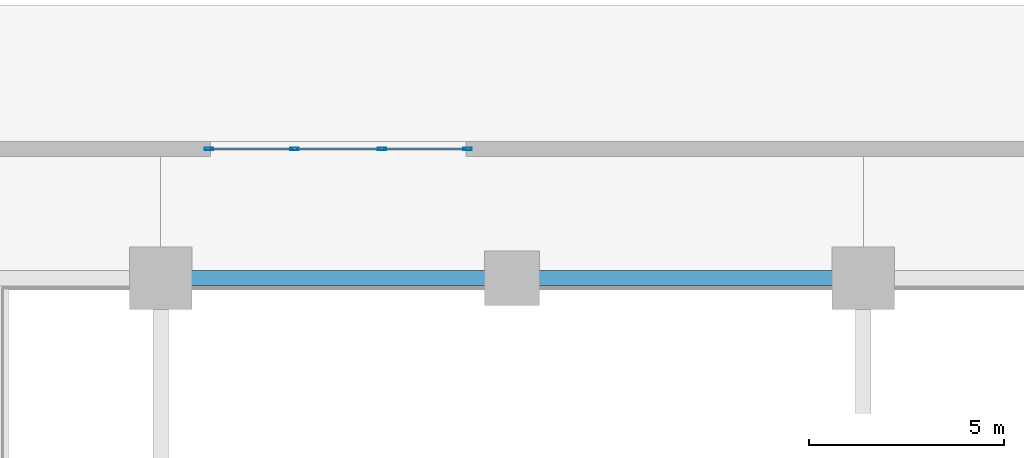
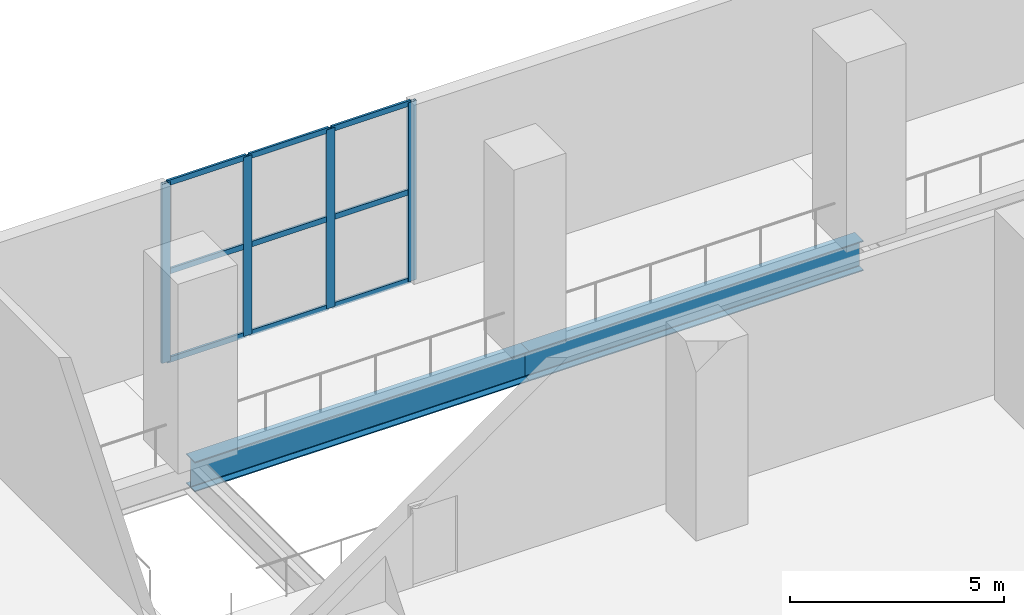
# One storey, part 6 of 17: 13 members, 2 beams, 1 element without a shape of its own.
"""IFC4 building model written with IfcOpenShell, lengths in metres."""

from ifc_helpers import new_model, si_unit, direction, frame, origin, origin_2d, place, context, subcontext, project, spatial, hollow_rectangle, i_section, extrude, material, layer, layer_set, material_profile, profile_set, type_object, element, aggregate, save


model = new_model("IFC4")

# Units and contexts
model_context = context("Model", 3, precision=1e-05, world=origin(), true_north=direction((0.0, 1.0)))
body_context = subcontext(model_context, "Body", "Model", "MODEL_VIEW")
ifc_project = project(units=[si_unit("LENGTHUNIT", "METRE"), si_unit("AREAUNIT", "SQUARE_METRE"), si_unit("VOLUMEUNIT", "CUBIC_METRE"), si_unit("PLANEANGLEUNIT", "RADIAN"), si_unit("MASSUNIT", "GRAM", prefix="KILO")], contexts=[model_context])

# Site, building, storey
site_placement = place(None, origin())
site = spatial("IfcSite", under=ifc_project, at=site_placement, CompositionType="ELEMENT")
building_placement = place(site_placement, origin())
building = spatial("IfcBuilding", under=site, at=building_placement, Name="Mawjdan Bourse Tower", CompositionType="ELEMENT")
storey_placement = place(building_placement, origin())
storey = spatial("IfcBuildingStorey", under=building, at=storey_placement, Name="L00", CompositionType="ELEMENT", Elevation=0.0)

# Beams
ifc_material_1 = material(Name="Structural Steel S355", Category="steel")
ifc_material_profile_1 = material_profile(ifc_material_1, i_section(OverallWidth=0.39892578125, OverallDepth=0.85595703125, WebThickness=0.018310546875, FlangeThickness=0.029296875, FilletRadius=0.0234375, at=origin_2d()), Name="W33X201")
ifc_profile_set_1 = profile_set([ifc_material_profile_1], Name="Structural Steel S355")
beam_type = type_object("IfcBeamType", Name="GRD-W33X201", PredefinedType="BEAM", material=ifc_profile_set_1)
for number, where, z_axis, x_axis, name in (
    (1, (33.0, 47.5, -0.72802734375), (1.0, 0.0, 0.0), (0.0, 1.0, 0.0), "L00 Podium Tie Girder 076"),
    (2, (42.0, 47.5, -0.72802734375), (1.0, 0.0, 0.0), (0.0, 1.0, 0.0), "L00 Podium Tie Girder 077"),
):
    element("IfcBeam", number, at=place(storey_placement, frame(where, z_axis=z_axis, x_axis=x_axis)), inside=storey, type_object=beam_type, Name=name, PredefinedType="BEAM", context=body_context, shape_type="SweptSolid", body=[
        extrude(i_section(OverallWidth=0.39892578125, OverallDepth=0.85595703125, WebThickness=0.018310546875, FlangeThickness=0.029296875, FilletRadius=0.0234375, at=origin_2d()), origin(), (0.0, 0.0, 1.0), 9.0),
    ])

# Curtain wall, members
ifc_material_2 = material(Name="Thermally Broken Aluminium and Solar Glass", Category="aluminium")
ifc_layer = layer(ifc_material_2, 0.219970703125)
ifc_layer_set = layer_set([ifc_layer], Name="Thermally Broken Aluminium and Solar Glass")
curtain_wall_type = type_object("IfcCurtainWallType", Name="CW-ENT", PredefinedType="USERDEFINED", material=ifc_layer_set)
curtain_wall_placement = place(storey_placement, origin())
curtain_wall = element("IfcCurtainWall", 3, at=curtain_wall_placement, inside=storey, type_object=curtain_wall_type, Name="L00 North Boulevard Foyer Curtain Wall", ObjectType="FOYER ENTRANCE CURTAIN WALL", PredefinedType="USERDEFINED")
ifc_material_3 = material(Name="Thermally Broken Anodised Aluminium", Category="aluminium")
ifc_material_profile_2 = material_profile(ifc_material_3, hollow_rectangle(XDim=0.074951171875, YDim=0.219970703125, WallThickness=0.0048828125, at=origin_2d()), Name="ALU-MUL-220X75")
ifc_profile_set_2 = profile_set([ifc_material_profile_2], Name="Thermally Broken Anodised Aluminium")
member_type_1 = type_object("IfcMemberType", Name="MUL-ALU-MUL-220X75", PredefinedType="MULLION", material=ifc_profile_set_2)
member_1_placement = place(storey_placement, frame((34.237548828125, 50.81005859375, 0.0), z_axis=(0.0, 0.0, 1.0), x_axis=(0.0, 1.0, 0.0)))
member_1 = element("IfcMember", 4, at=member_1_placement, type_object=member_type_1, Name="CW-ENT-L00-ENT-NB mullion 1", PredefinedType="MULLION", context=body_context, shape_type="SweptSolid", body=[
    extrude(hollow_rectangle(XDim=0.074951171875, YDim=0.219970703125, WallThickness=0.0048828125, at=origin_2d()), origin(), (0.0, 0.0, 1.0), 5.10009765625),
])
member_2_placement = place(storey_placement, frame((36.433349609375, 50.81005859375, 0.0), z_axis=(0.0, 0.0, 1.0), x_axis=(0.0, 1.0, 0.0)))
member_2 = element("IfcMember", 5, at=member_2_placement, type_object=member_type_1, Name="CW-ENT-L00-ENT-NB mullion 2", PredefinedType="MULLION", context=body_context, shape_type="SweptSolid", body=[
    extrude(hollow_rectangle(XDim=0.074951171875, YDim=0.219970703125, WallThickness=0.0048828125, at=origin_2d()), origin(), (0.0, 0.0, 1.0), 5.10009765625),
])
member_3_placement = place(storey_placement, frame((38.666748046875, 50.81005859375, 0.0), z_axis=(0.0, 0.0, 1.0), x_axis=(0.0, 1.0, 0.0)))
member_3 = element("IfcMember", 6, at=member_3_placement, type_object=member_type_1, Name="CW-ENT-L00-ENT-NB mullion 3", PredefinedType="MULLION", context=body_context, shape_type="SweptSolid", body=[
    extrude(hollow_rectangle(XDim=0.074951171875, YDim=0.219970703125, WallThickness=0.0048828125, at=origin_2d()), origin(), (0.0, 0.0, 1.0), 5.10009765625),
])
member_4_placement = place(storey_placement, frame((40.862548828125, 50.81005859375, 0.0), z_axis=(0.0, 0.0, 1.0), x_axis=(0.0, 1.0, 0.0)))
member_4 = element("IfcMember", 7, at=member_4_placement, type_object=member_type_1, Name="CW-ENT-L00-ENT-NB mullion 4", PredefinedType="MULLION", context=body_context, shape_type="SweptSolid", body=[
    extrude(hollow_rectangle(XDim=0.074951171875, YDim=0.219970703125, WallThickness=0.0048828125, at=origin_2d()), origin(), (0.0, 0.0, 1.0), 5.10009765625),
])
ifc_material_profile_3 = material_profile(ifc_material_3, hollow_rectangle(XDim=0.06005859375, YDim=0.155029296875, WallThickness=0.00390625, at=origin_2d()), Name="ALU-TRN-155X60")
ifc_profile_set_3 = profile_set([ifc_material_profile_3], Name="Thermally Broken Anodised Aluminium")
member_type_2 = type_object("IfcMemberType", Name="TRN-ALU-TRN-155X60", PredefinedType="USERDEFINED", material=ifc_profile_set_3)
member_5_placement = place(storey_placement, frame((34.27490234375, 50.81005859375, 0.030029296875), z_axis=(1.0, 0.0, 0.0), x_axis=(0.0, 1.0, 0.0)))
member_5 = element("IfcMember", 8, at=member_5_placement, type_object=member_type_2, Name="CW-ENT-L00-ENT-NB transom 1.1", ObjectType="TRANSOM", PredefinedType="USERDEFINED", context=body_context, shape_type="SweptSolid", body=[
    extrude(hollow_rectangle(XDim=0.06005859375, YDim=0.155029296875, WallThickness=0.00390625, at=origin_2d()), origin(), (0.0, 0.0, 1.0), 2.120849609375),
])
member_6_placement = place(storey_placement, frame((34.27490234375, 50.81005859375, 2.550048828125), z_axis=(1.0, 0.0, 0.0), x_axis=(0.0, 1.0, 0.0)))
member_6 = element("IfcMember", 9, at=member_6_placement, type_object=member_type_2, Name="CW-ENT-L00-ENT-NB transom 1.2", ObjectType="TRANSOM", PredefinedType="USERDEFINED", context=body_context, shape_type="SweptSolid", body=[
    extrude(hollow_rectangle(XDim=0.06005859375, YDim=0.155029296875, WallThickness=0.00390625, at=origin_2d()), origin(), (0.0, 0.0, 1.0), 2.120849609375),
])
member_7_placement = place(storey_placement, frame((34.27490234375, 50.81005859375, 5.070068359375), z_axis=(1.0, 0.0, 0.0), x_axis=(0.0, 1.0, 0.0)))
member_7 = element("IfcMember", 10, at=member_7_placement, type_object=member_type_2, Name="CW-ENT-L00-ENT-NB transom 1.3", ObjectType="TRANSOM", PredefinedType="USERDEFINED", context=body_context, shape_type="SweptSolid", body=[
    extrude(hollow_rectangle(XDim=0.06005859375, YDim=0.155029296875, WallThickness=0.00390625, at=origin_2d()), origin(), (0.0, 0.0, 1.0), 2.120849609375),
])
member_8_placement = place(storey_placement, frame((36.470947265625, 50.81005859375, 0.030029296875), z_axis=(1.0, 0.0, 0.0), x_axis=(0.0, 1.0, 0.0)))
member_8 = element("IfcMember", 11, at=member_8_placement, type_object=member_type_2, Name="CW-ENT-L00-ENT-NB transom 2.1", ObjectType="TRANSOM", PredefinedType="USERDEFINED", context=body_context, shape_type="SweptSolid", body=[
    extrude(hollow_rectangle(XDim=0.06005859375, YDim=0.155029296875, WallThickness=0.00390625, at=origin_2d()), origin(), (0.0, 0.0, 1.0), 2.158203125),
])
member_9_placement = place(storey_placement, frame((36.470947265625, 50.81005859375, 2.550048828125), z_axis=(1.0, 0.0, 0.0), x_axis=(0.0, 1.0, 0.0)))
member_9 = element("IfcMember", 12, at=member_9_placement, type_object=member_type_2, Name="CW-ENT-L00-ENT-NB transom 2.2", ObjectType="TRANSOM", PredefinedType="USERDEFINED", context=body_context, shape_type="SweptSolid", body=[
    extrude(hollow_rectangle(XDim=0.06005859375, YDim=0.155029296875, WallThickness=0.00390625, at=origin_2d()), origin(), (0.0, 0.0, 1.0), 2.158203125),
])
member_10_placement = place(storey_placement, frame((36.470947265625, 50.81005859375, 5.070068359375), z_axis=(1.0, 0.0, 0.0), x_axis=(0.0, 1.0, 0.0)))
member_10 = element("IfcMember", 13, at=member_10_placement, type_object=member_type_2, Name="CW-ENT-L00-ENT-NB transom 2.3", ObjectType="TRANSOM", PredefinedType="USERDEFINED", context=body_context, shape_type="SweptSolid", body=[
    extrude(hollow_rectangle(XDim=0.06005859375, YDim=0.155029296875, WallThickness=0.00390625, at=origin_2d()), origin(), (0.0, 0.0, 1.0), 2.158203125),
])
member_11_placement = place(storey_placement, frame((38.7041015625, 50.81005859375, 0.030029296875), z_axis=(1.0, 0.0, 0.0), x_axis=(0.0, 1.0, 0.0)))
member_11 = element("IfcMember", 14, at=member_11_placement, type_object=member_type_2, Name="CW-ENT-L00-ENT-NB transom 3.1", ObjectType="TRANSOM", PredefinedType="USERDEFINED", context=body_context, shape_type="SweptSolid", body=[
    extrude(hollow_rectangle(XDim=0.06005859375, YDim=0.155029296875, WallThickness=0.00390625, at=origin_2d()), origin(), (0.0, 0.0, 1.0), 2.120849609375),
])
member_12_placement = place(storey_placement, frame((38.7041015625, 50.81005859375, 2.550048828125), z_axis=(1.0, 0.0, 0.0), x_axis=(0.0, 1.0, 0.0)))
member_12 = element("IfcMember", 15, at=member_12_placement, type_object=member_type_2, Name="CW-ENT-L00-ENT-NB transom 3.2", ObjectType="TRANSOM", PredefinedType="USERDEFINED", context=body_context, shape_type="SweptSolid", body=[
    extrude(hollow_rectangle(XDim=0.06005859375, YDim=0.155029296875, WallThickness=0.00390625, at=origin_2d()), origin(), (0.0, 0.0, 1.0), 2.120849609375),
])
member_13_placement = place(storey_placement, frame((38.7041015625, 50.81005859375, 5.070068359375), z_axis=(1.0, 0.0, 0.0), x_axis=(0.0, 1.0, 0.0)))
member_13 = element("IfcMember", 16, at=member_13_placement, type_object=member_type_2, Name="CW-ENT-L00-ENT-NB transom 3.3", ObjectType="TRANSOM", PredefinedType="USERDEFINED", context=body_context, shape_type="SweptSolid", body=[
    extrude(hollow_rectangle(XDim=0.06005859375, YDim=0.155029296875, WallThickness=0.00390625, at=origin_2d()), origin(), (0.0, 0.0, 1.0), 2.120849609375),
])
aggregate(curtain_wall, [member_1, member_2, member_3, member_4, member_5, member_6, member_7, member_8, member_9, member_10, member_11, member_12, member_13])

save(model, "model.ifc")
